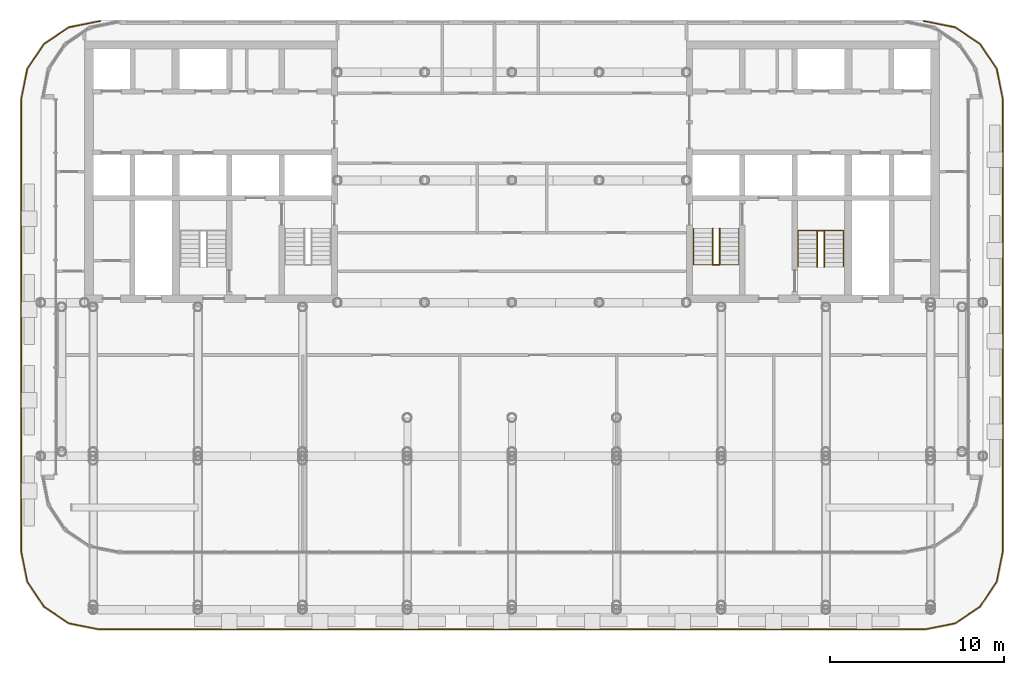
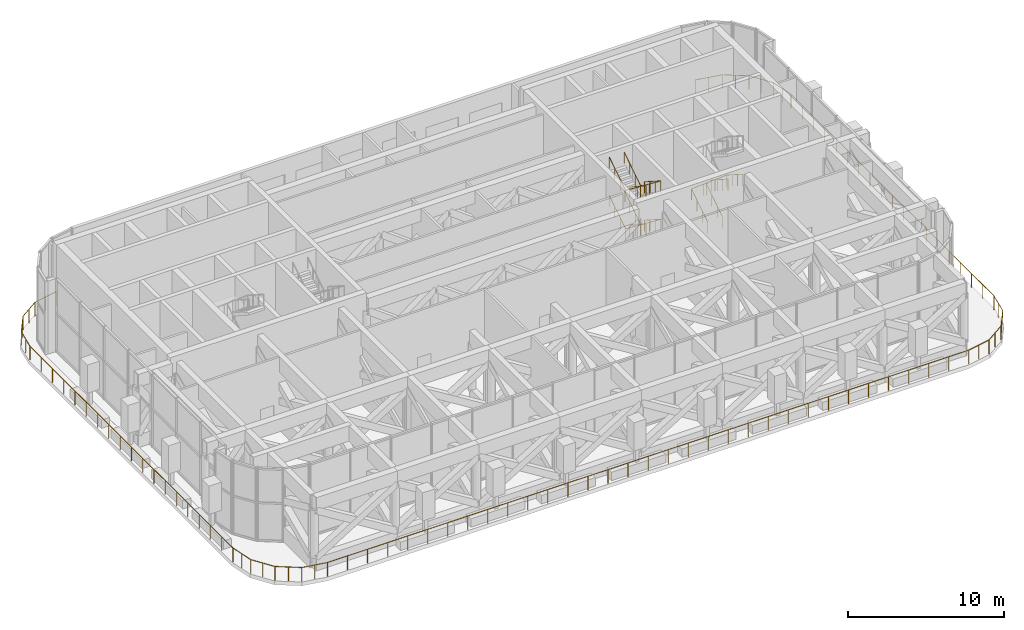
# One storey, part 18 of 20: 7 railings.
"""IFC4 building model written with IfcOpenShell, lengths in metres."""

from ifc_helpers import new_model, si_unit, direction, frame, origin, origin_2d, place, context, subcontext, project, spatial, circle, extrude, material, type_object, element, save


model = new_model("IFC4")

# Units and contexts
model_context = context("Model", 3, precision=1e-05, world=origin(), true_north=direction((0.0, 1.0)))
body_context = subcontext(model_context, "Body", "Model", "MODEL_VIEW")
ifc_project = project(units=[si_unit("LENGTHUNIT", "METRE"), si_unit("AREAUNIT", "SQUARE_METRE"), si_unit("VOLUMEUNIT", "CUBIC_METRE"), si_unit("PLANEANGLEUNIT", "RADIAN"), si_unit("MASSUNIT", "GRAM", prefix="KILO")], contexts=[model_context])

# Site, building, storey
site_placement = place(None, origin())
site = spatial("IfcSite", under=ifc_project, at=site_placement, CompositionType="ELEMENT")
building_placement = place(site_placement, origin())
building = spatial("IfcBuilding", under=site, at=building_placement, Name="Torana Hotel and Residences", CompositionType="ELEMENT")
storey_placement = place(building_placement, frame((0.0, 0.0, 177.60009765625)))
storey = spatial("IfcBuildingStorey", under=building, at=storey_placement, Name="L46", CompositionType="ELEMENT", Elevation=177.60009765625)

# Railings
ifc_material_1 = material(Name="Laminated glass balustrade with black handrail", Category="glass")
railing_type_1 = type_object("IfcRailingType", Name="GR1 BALCONY GUARD 1100 GLASS", PredefinedType="GUARDRAIL", material=ifc_material_1)
railing_1_placement = place(storey_placement, frame((23.60595703125, 1.13720703125, 0.0)))
element("IfcRailing", 1, at=railing_1_placement, inside=storey, type_object=railing_type_1, Name="Terrace guard L46 1", PredefinedType="GUARDRAIL", context=body_context, shape_type="SweptSolid", body=[
    extrude(circle(Radius=0.02392578125, at=origin_2d()), frame((0.0, 0.0, 1.076171875), z_axis=(0.980765981153, -0.195187320829, 0.0), x_axis=(0.195187320829, 0.980765981153, 0.0)), (0.0, 0.0, 1.0), 1.81982421875),
    extrude(circle(Radius=0.02392578125, at=origin_2d()), frame((1.784912109375, -0.355224609375, 1.076171875), z_axis=(0.831461551283, -0.555582296999, 0.0), x_axis=(0.555582296999, 0.831461551283, 0.0)), (0.0, 0.0, 1.0), 1.723876953125),
    extrude(circle(Radius=0.02392578125, at=origin_2d()), frame((3.21826171875, -1.31298828125, 1.076171875), z_axis=(0.555582296999, -0.831461551283, 0.0), x_axis=(0.831461551283, 0.555582296999, 0.0)), (0.0, 0.0, 1.0), 1.723876953125),
    extrude(circle(Radius=0.02392578125, at=origin_2d()), frame((4.176025390625, -2.746337890625, 1.076171875), z_axis=(0.195221536638, -0.980759171067, 0.0), x_axis=(0.980759171067, 0.195221536638, 0.0)), (0.0, 0.0, 1.0), 1.732177734375),
    extrude(circle(Radius=0.02392578125, at=origin_2d()), frame((4.51416015625, -4.445068359375, 1.076171875), z_axis=(0.0, -1.0, 0.0), x_axis=(1.0, 0.0, 0.0)), (0.0, 0.0, 1.0), 25.984130859375),
    extrude(circle(Radius=0.02392578125, at=origin_2d()), frame((4.51416015625, -30.42919921875, 1.076171875), z_axis=(-0.195194552459, -0.980764541921, 0.0), x_axis=(0.980764541921, -0.195194552459, 0.0)), (0.0, 0.0, 1.0), 1.732177734375),
    extrude(circle(Radius=0.02392578125, at=origin_2d()), frame((4.176025390625, -32.128173828125, 1.076171875), z_axis=(-0.555582296999, -0.831461551283, 0.0), x_axis=(0.831461551283, -0.555582296999, 0.0)), (0.0, 0.0, 1.0), 1.723876953125),
    extrude(circle(Radius=0.02392578125, at=origin_2d()), frame((3.21826171875, -33.5615234375, 1.076171875), z_axis=(-0.831461551283, -0.555582296999, 0.0), x_axis=(0.555582296999, -0.831461551283, 0.0)), (0.0, 0.0, 1.0), 1.723876953125),
    extrude(circle(Radius=0.02392578125, at=origin_2d()), frame((1.784912109375, -34.519287109375, 1.076171875), z_axis=(-0.980786150273, -0.195085948833, 0.0), x_axis=(0.195085948833, -0.980786150273, 0.0)), (0.0, 0.0, 1.0), 1.73193359375),
    extrude(circle(Radius=0.02392578125, at=origin_2d()), frame((0.086181640625, -34.857177734375, 1.076171875), z_axis=(-1.0, 0.0, 0.0), x_axis=(0.0, -1.0, 0.0)), (0.0, 0.0, 1.0), 47.38427734375),
    extrude(circle(Radius=0.02392578125, at=origin_2d()), frame((-47.298095703125, -34.857177734375, 1.076171875), z_axis=(-0.980786150273, 0.195085948833, 0.0), x_axis=(-0.195085948833, -0.980786150273, 0.0)), (0.0, 0.0, 1.0), 1.73193359375),
    extrude(circle(Radius=0.02392578125, at=origin_2d()), frame((-48.996826171875, -34.519287109375, 1.076171875), z_axis=(-0.831461551283, 0.555582296999, 0.0), x_axis=(-0.555582296999, -0.831461551283, 0.0)), (0.0, 0.0, 1.0), 1.723876953125),
    extrude(circle(Radius=0.02392578125, at=origin_2d()), frame((-50.43017578125, -33.5615234375, 1.076171875), z_axis=(-0.555582296999, 0.831461551283, 0.0), x_axis=(-0.831461551283, -0.555582296999, 0.0)), (0.0, 0.0, 1.0), 1.723876953125),
    extrude(circle(Radius=0.02392578125, at=origin_2d()), frame((-51.387939453125, -32.128173828125, 1.076171875), z_axis=(-0.195194552459, 0.980764541921, 0.0), x_axis=(-0.980764541921, -0.195194552459, 0.0)), (0.0, 0.0, 1.0), 1.732177734375),
    extrude(circle(Radius=0.02392578125, at=origin_2d()), frame((-51.72607421875, -30.42919921875, 1.076171875), z_axis=(0.0, 1.0, 0.0), x_axis=(-1.0, 0.0, 0.0)), (0.0, 0.0, 1.0), 25.984130859375),
    extrude(circle(Radius=0.02392578125, at=origin_2d()), frame((-51.72607421875, -4.445068359375, 1.076171875), z_axis=(0.195221536638, 0.980759171067, 0.0), x_axis=(-0.980759171067, 0.195221536638, 0.0)), (0.0, 0.0, 1.0), 1.732177734375),
    extrude(circle(Radius=0.02392578125, at=origin_2d()), frame((-51.387939453125, -2.746337890625, 1.076171875), z_axis=(0.555582296999, 0.831461551283, 0.0), x_axis=(-0.831461551283, 0.555582296999, 0.0)), (0.0, 0.0, 1.0), 1.723876953125),
    extrude(circle(Radius=0.02392578125, at=origin_2d()), frame((-50.43017578125, -1.31298828125, 1.076171875), z_axis=(0.831461551283, 0.555582296999, 0.0), x_axis=(-0.555582296999, 0.831461551283, 0.0)), (0.0, 0.0, 1.0), 1.723876953125),
    extrude(circle(Radius=0.02392578125, at=origin_2d()), frame((-48.996826171875, -0.355224609375, 1.076171875), z_axis=(0.980765981153, 0.195187320829, 0.0), x_axis=(-0.195187320829, 0.980765981153, 0.0)), (0.0, 0.0, 1.0), 1.81982421875),
    extrude(circle(Radius=0.02099609375, at=origin_2d()), origin(), (0.0, 0.0, 1.0), 1.052001953125),
    extrude(circle(Radius=0.02099609375, at=origin_2d()), frame((0.892578125, -0.177734375, 0.0)), (0.0, 0.0, 1.0), 1.052001953125),
    extrude(circle(Radius=0.02099609375, at=origin_2d()), frame((1.784912109375, -0.355224609375, 0.0)), (0.0, 0.0, 1.0), 1.052001953125),
    extrude(circle(Radius=0.02099609375, at=origin_2d()), frame((2.50146484375, -0.833984375, 0.0)), (0.0, 0.0, 1.0), 1.052001953125),
    extrude(circle(Radius=0.02099609375, at=origin_2d()), frame((3.21826171875, -1.31298828125, 0.0)), (0.0, 0.0, 1.0), 1.052001953125),
    extrude(circle(Radius=0.02099609375, at=origin_2d()), frame((3.697265625, -2.02978515625, 0.0)), (0.0, 0.0, 1.0), 1.052001953125),
    extrude(circle(Radius=0.02099609375, at=origin_2d()), frame((4.176025390625, -2.746337890625, 0.0)), (0.0, 0.0, 1.0), 1.052001953125),
    extrude(circle(Radius=0.02099609375, at=origin_2d()), frame((4.34521484375, -3.595703125, 0.0)), (0.0, 0.0, 1.0), 1.052001953125),
    extrude(circle(Radius=0.02099609375, at=origin_2d()), frame((4.51416015625, -4.445068359375, 0.0)), (0.0, 0.0, 1.0), 1.052001953125),
    extrude(circle(Radius=0.02099609375, at=origin_2d()), frame((4.51416015625, -5.888671875, 0.0)), (0.0, 0.0, 1.0), 1.052001953125),
    extrude(circle(Radius=0.02099609375, at=origin_2d()), frame((4.51416015625, -7.332275390625, 0.0)), (0.0, 0.0, 1.0), 1.052001953125),
    extrude(circle(Radius=0.02099609375, at=origin_2d()), frame((4.51416015625, -8.77587890625, 0.0)), (0.0, 0.0, 1.0), 1.052001953125),
    extrude(circle(Radius=0.02099609375, at=origin_2d()), frame((4.51416015625, -10.21923828125, 0.0)), (0.0, 0.0, 1.0), 1.052001953125),
    extrude(circle(Radius=0.02099609375, at=origin_2d()), frame((4.51416015625, -11.662841796875, 0.0)), (0.0, 0.0, 1.0), 1.052001953125),
    extrude(circle(Radius=0.02099609375, at=origin_2d()), frame((4.51416015625, -13.1064453125, 0.0)), (0.0, 0.0, 1.0), 1.052001953125),
    extrude(circle(Radius=0.02099609375, at=origin_2d()), frame((4.51416015625, -14.550048828125, 0.0)), (0.0, 0.0, 1.0), 1.052001953125),
    extrude(circle(Radius=0.02099609375, at=origin_2d()), frame((4.51416015625, -15.99365234375, 0.0)), (0.0, 0.0, 1.0), 1.052001953125),
    extrude(circle(Radius=0.02099609375, at=origin_2d()), frame((4.51416015625, -17.43701171875, 0.0)), (0.0, 0.0, 1.0), 1.052001953125),
    extrude(circle(Radius=0.02099609375, at=origin_2d()), frame((4.51416015625, -18.880615234375, 0.0)), (0.0, 0.0, 1.0), 1.052001953125),
    extrude(circle(Radius=0.02099609375, at=origin_2d()), frame((4.51416015625, -20.32421875, 0.0)), (0.0, 0.0, 1.0), 1.052001953125),
    extrude(circle(Radius=0.02099609375, at=origin_2d()), frame((4.51416015625, -21.767822265625, 0.0)), (0.0, 0.0, 1.0), 1.052001953125),
    extrude(circle(Radius=0.02099609375, at=origin_2d()), frame((4.51416015625, -23.21142578125, 0.0)), (0.0, 0.0, 1.0), 1.052001953125),
    extrude(circle(Radius=0.02099609375, at=origin_2d()), frame((4.51416015625, -24.655029296875, 0.0)), (0.0, 0.0, 1.0), 1.052001953125),
    extrude(circle(Radius=0.02099609375, at=origin_2d()), frame((4.51416015625, -26.0986328125, 0.0)), (0.0, 0.0, 1.0), 1.052001953125),
    extrude(circle(Radius=0.02099609375, at=origin_2d()), frame((4.51416015625, -27.5419921875, 0.0)), (0.0, 0.0, 1.0), 1.052001953125),
    extrude(circle(Radius=0.02099609375, at=origin_2d()), frame((4.51416015625, -28.985595703125, 0.0)), (0.0, 0.0, 1.0), 1.052001953125),
    extrude(circle(Radius=0.02099609375, at=origin_2d()), frame((4.51416015625, -30.42919921875, 0.0)), (0.0, 0.0, 1.0), 1.052001953125),
    extrude(circle(Radius=0.02099609375, at=origin_2d()), frame((4.34521484375, -31.27880859375, 0.0)), (0.0, 0.0, 1.0), 1.052001953125),
    extrude(circle(Radius=0.02099609375, at=origin_2d()), frame((4.176025390625, -32.128173828125, 0.0)), (0.0, 0.0, 1.0), 1.052001953125),
    extrude(circle(Radius=0.02099609375, at=origin_2d()), frame((3.697265625, -32.8447265625, 0.0)), (0.0, 0.0, 1.0), 1.052001953125),
    extrude(circle(Radius=0.02099609375, at=origin_2d()), frame((3.21826171875, -33.5615234375, 0.0)), (0.0, 0.0, 1.0), 1.052001953125),
    extrude(circle(Radius=0.02099609375, at=origin_2d()), frame((2.50146484375, -34.04052734375, 0.0)), (0.0, 0.0, 1.0), 1.052001953125),
    extrude(circle(Radius=0.02099609375, at=origin_2d()), frame((1.784912109375, -34.519287109375, 0.0)), (0.0, 0.0, 1.0), 1.052001953125),
    extrude(circle(Radius=0.02099609375, at=origin_2d()), frame((0.935546875, -34.688232421875, 0.0)), (0.0, 0.0, 1.0), 1.052001953125),
    extrude(circle(Radius=0.02099609375, at=origin_2d()), frame((0.086181640625, -34.857177734375, 0.0)), (0.0, 0.0, 1.0), 1.052001953125),
    extrude(circle(Radius=0.02099609375, at=origin_2d()), frame((-1.39453125, -34.857177734375, 0.0)), (0.0, 0.0, 1.0), 1.052001953125),
    extrude(circle(Radius=0.02099609375, at=origin_2d()), frame((-2.875244140625, -34.857177734375, 0.0)), (0.0, 0.0, 1.0), 1.052001953125),
    extrude(circle(Radius=0.02099609375, at=origin_2d()), frame((-4.356201171875, -34.857177734375, 0.0)), (0.0, 0.0, 1.0), 1.052001953125),
    extrude(circle(Radius=0.02099609375, at=origin_2d()), frame((-5.8369140625, -34.857177734375, 0.0)), (0.0, 0.0, 1.0), 1.052001953125),
    extrude(circle(Radius=0.02099609375, at=origin_2d()), frame((-7.317626953125, -34.857177734375, 0.0)), (0.0, 0.0, 1.0), 1.052001953125),
    extrude(circle(Radius=0.02099609375, at=origin_2d()), frame((-8.79833984375, -34.857177734375, 0.0)), (0.0, 0.0, 1.0), 1.052001953125),
    extrude(circle(Radius=0.02099609375, at=origin_2d()), frame((-10.279052734375, -34.857177734375, 0.0)), (0.0, 0.0, 1.0), 1.052001953125),
    extrude(circle(Radius=0.02099609375, at=origin_2d()), frame((-11.759765625, -34.857177734375, 0.0)), (0.0, 0.0, 1.0), 1.052001953125),
    extrude(circle(Radius=0.02099609375, at=origin_2d()), frame((-13.24072265625, -34.857177734375, 0.0)), (0.0, 0.0, 1.0), 1.052001953125),
    extrude(circle(Radius=0.02099609375, at=origin_2d()), frame((-14.721435546875, -34.857177734375, 0.0)), (0.0, 0.0, 1.0), 1.052001953125),
    extrude(circle(Radius=0.02099609375, at=origin_2d()), frame((-16.2021484375, -34.857177734375, 0.0)), (0.0, 0.0, 1.0), 1.052001953125),
    extrude(circle(Radius=0.02099609375, at=origin_2d()), frame((-17.682861328125, -34.857177734375, 0.0)), (0.0, 0.0, 1.0), 1.052001953125),
    extrude(circle(Radius=0.02099609375, at=origin_2d()), frame((-19.16357421875, -34.857177734375, 0.0)), (0.0, 0.0, 1.0), 1.052001953125),
    extrude(circle(Radius=0.02099609375, at=origin_2d()), frame((-20.64453125, -34.857177734375, 0.0)), (0.0, 0.0, 1.0), 1.052001953125),
    extrude(circle(Radius=0.02099609375, at=origin_2d()), frame((-22.125244140625, -34.857177734375, 0.0)), (0.0, 0.0, 1.0), 1.052001953125),
    extrude(circle(Radius=0.02099609375, at=origin_2d()), frame((-23.60595703125, -34.857177734375, 0.0)), (0.0, 0.0, 1.0), 1.052001953125),
    extrude(circle(Radius=0.02099609375, at=origin_2d()), frame((-25.086669921875, -34.857177734375, 0.0)), (0.0, 0.0, 1.0), 1.052001953125),
    extrude(circle(Radius=0.02099609375, at=origin_2d()), frame((-26.5673828125, -34.857177734375, 0.0)), (0.0, 0.0, 1.0), 1.052001953125),
    extrude(circle(Radius=0.02099609375, at=origin_2d()), frame((-28.04833984375, -34.857177734375, 0.0)), (0.0, 0.0, 1.0), 1.052001953125),
    extrude(circle(Radius=0.02099609375, at=origin_2d()), frame((-29.529052734375, -34.857177734375, 0.0)), (0.0, 0.0, 1.0), 1.052001953125),
    extrude(circle(Radius=0.02099609375, at=origin_2d()), frame((-31.009765625, -34.857177734375, 0.0)), (0.0, 0.0, 1.0), 1.052001953125),
    extrude(circle(Radius=0.02099609375, at=origin_2d()), frame((-32.490478515625, -34.857177734375, 0.0)), (0.0, 0.0, 1.0), 1.052001953125),
    extrude(circle(Radius=0.02099609375, at=origin_2d()), frame((-33.97119140625, -34.857177734375, 0.0)), (0.0, 0.0, 1.0), 1.052001953125),
    extrude(circle(Radius=0.02099609375, at=origin_2d()), frame((-35.4521484375, -34.857177734375, 0.0)), (0.0, 0.0, 1.0), 1.052001953125),
    extrude(circle(Radius=0.02099609375, at=origin_2d()), frame((-36.932861328125, -34.857177734375, 0.0)), (0.0, 0.0, 1.0), 1.052001953125),
    extrude(circle(Radius=0.02099609375, at=origin_2d()), frame((-38.41357421875, -34.857177734375, 0.0)), (0.0, 0.0, 1.0), 1.052001953125),
    extrude(circle(Radius=0.02099609375, at=origin_2d()), frame((-39.894287109375, -34.857177734375, 0.0)), (0.0, 0.0, 1.0), 1.052001953125),
    extrude(circle(Radius=0.02099609375, at=origin_2d()), frame((-41.375, -34.857177734375, 0.0)), (0.0, 0.0, 1.0), 1.052001953125),
    extrude(circle(Radius=0.02099609375, at=origin_2d()), frame((-42.855712890625, -34.857177734375, 0.0)), (0.0, 0.0, 1.0), 1.052001953125),
    extrude(circle(Radius=0.02099609375, at=origin_2d()), frame((-44.336669921875, -34.857177734375, 0.0)), (0.0, 0.0, 1.0), 1.052001953125),
    extrude(circle(Radius=0.02099609375, at=origin_2d()), frame((-45.8173828125, -34.857177734375, 0.0)), (0.0, 0.0, 1.0), 1.052001953125),
    extrude(circle(Radius=0.02099609375, at=origin_2d()), frame((-47.298095703125, -34.857177734375, 0.0)), (0.0, 0.0, 1.0), 1.052001953125),
    extrude(circle(Radius=0.02099609375, at=origin_2d()), frame((-48.1474609375, -34.688232421875, 0.0)), (0.0, 0.0, 1.0), 1.052001953125),
    extrude(circle(Radius=0.02099609375, at=origin_2d()), frame((-48.996826171875, -34.519287109375, 0.0)), (0.0, 0.0, 1.0), 1.052001953125),
    extrude(circle(Radius=0.02099609375, at=origin_2d()), frame((-49.71337890625, -34.04052734375, 0.0)), (0.0, 0.0, 1.0), 1.052001953125),
    extrude(circle(Radius=0.02099609375, at=origin_2d()), frame((-50.43017578125, -33.5615234375, 0.0)), (0.0, 0.0, 1.0), 1.052001953125),
    extrude(circle(Radius=0.02099609375, at=origin_2d()), frame((-50.9091796875, -32.8447265625, 0.0)), (0.0, 0.0, 1.0), 1.052001953125),
    extrude(circle(Radius=0.02099609375, at=origin_2d()), frame((-51.387939453125, -32.128173828125, 0.0)), (0.0, 0.0, 1.0), 1.052001953125),
    extrude(circle(Radius=0.02099609375, at=origin_2d()), frame((-51.55712890625, -31.27880859375, 0.0)), (0.0, 0.0, 1.0), 1.052001953125),
    extrude(circle(Radius=0.02099609375, at=origin_2d()), frame((-51.72607421875, -30.42919921875, 0.0)), (0.0, 0.0, 1.0), 1.052001953125),
    extrude(circle(Radius=0.02099609375, at=origin_2d()), frame((-51.72607421875, -28.985595703125, 0.0)), (0.0, 0.0, 1.0), 1.052001953125),
    extrude(circle(Radius=0.02099609375, at=origin_2d()), frame((-51.72607421875, -27.5419921875, 0.0)), (0.0, 0.0, 1.0), 1.052001953125),
    extrude(circle(Radius=0.02099609375, at=origin_2d()), frame((-51.72607421875, -26.0986328125, 0.0)), (0.0, 0.0, 1.0), 1.052001953125),
    extrude(circle(Radius=0.02099609375, at=origin_2d()), frame((-51.72607421875, -24.655029296875, 0.0)), (0.0, 0.0, 1.0), 1.052001953125),
    extrude(circle(Radius=0.02099609375, at=origin_2d()), frame((-51.72607421875, -23.21142578125, 0.0)), (0.0, 0.0, 1.0), 1.052001953125),
    extrude(circle(Radius=0.02099609375, at=origin_2d()), frame((-51.72607421875, -21.767822265625, 0.0)), (0.0, 0.0, 1.0), 1.052001953125),
    extrude(circle(Radius=0.02099609375, at=origin_2d()), frame((-51.72607421875, -20.32421875, 0.0)), (0.0, 0.0, 1.0), 1.052001953125),
    extrude(circle(Radius=0.02099609375, at=origin_2d()), frame((-51.72607421875, -18.880615234375, 0.0)), (0.0, 0.0, 1.0), 1.052001953125),
    extrude(circle(Radius=0.02099609375, at=origin_2d()), frame((-51.72607421875, -17.43701171875, 0.0)), (0.0, 0.0, 1.0), 1.052001953125),
    extrude(circle(Radius=0.02099609375, at=origin_2d()), frame((-51.72607421875, -15.99365234375, 0.0)), (0.0, 0.0, 1.0), 1.052001953125),
    extrude(circle(Radius=0.02099609375, at=origin_2d()), frame((-51.72607421875, -14.550048828125, 0.0)), (0.0, 0.0, 1.0), 1.052001953125),
    extrude(circle(Radius=0.02099609375, at=origin_2d()), frame((-51.72607421875, -13.1064453125, 0.0)), (0.0, 0.0, 1.0), 1.052001953125),
    extrude(circle(Radius=0.02099609375, at=origin_2d()), frame((-51.72607421875, -11.662841796875, 0.0)), (0.0, 0.0, 1.0), 1.052001953125),
    extrude(circle(Radius=0.02099609375, at=origin_2d()), frame((-51.72607421875, -10.21923828125, 0.0)), (0.0, 0.0, 1.0), 1.052001953125),
    extrude(circle(Radius=0.02099609375, at=origin_2d()), frame((-51.72607421875, -8.77587890625, 0.0)), (0.0, 0.0, 1.0), 1.052001953125),
    extrude(circle(Radius=0.02099609375, at=origin_2d()), frame((-51.72607421875, -7.332275390625, 0.0)), (0.0, 0.0, 1.0), 1.052001953125),
    extrude(circle(Radius=0.02099609375, at=origin_2d()), frame((-51.72607421875, -5.888671875, 0.0)), (0.0, 0.0, 1.0), 1.052001953125),
    extrude(circle(Radius=0.02099609375, at=origin_2d()), frame((-51.72607421875, -4.445068359375, 0.0)), (0.0, 0.0, 1.0), 1.052001953125),
    extrude(circle(Radius=0.02099609375, at=origin_2d()), frame((-51.55712890625, -3.595703125, 0.0)), (0.0, 0.0, 1.0), 1.052001953125),
    extrude(circle(Radius=0.02099609375, at=origin_2d()), frame((-51.387939453125, -2.746337890625, 0.0)), (0.0, 0.0, 1.0), 1.052001953125),
    extrude(circle(Radius=0.02099609375, at=origin_2d()), frame((-50.9091796875, -2.02978515625, 0.0)), (0.0, 0.0, 1.0), 1.052001953125),
    extrude(circle(Radius=0.02099609375, at=origin_2d()), frame((-50.43017578125, -1.31298828125, 0.0)), (0.0, 0.0, 1.0), 1.052001953125),
    extrude(circle(Radius=0.02099609375, at=origin_2d()), frame((-49.71337890625, -0.833984375, 0.0)), (0.0, 0.0, 1.0), 1.052001953125),
    extrude(circle(Radius=0.02099609375, at=origin_2d()), frame((-48.996826171875, -0.355224609375, 0.0)), (0.0, 0.0, 1.0), 1.052001953125),
    extrude(circle(Radius=0.02099609375, at=origin_2d()), frame((-48.1044921875, -0.177734375, 0.0)), (0.0, 0.0, 1.0), 1.052001953125),
    extrude(circle(Radius=0.02099609375, at=origin_2d()), frame((-47.2119140625, 0.0, 0.0)), (0.0, 0.0, 1.0), 1.052001953125),
])
ifc_material_2 = material(Name="Stainless steel 316", Category="steel")
railing_type_2 = type_object("IfcRailingType", Name="STAIR HANDRAIL HR1 900", PredefinedType="HANDRAIL", material=ifc_material_2)
railing_2_placement = place(storey_placement, frame((13.0, -10.75, 0.16650390625)))
element("IfcRailing", 2, at=railing_2_placement, inside=storey, type_object=railing_type_2, Name="Handrail ST3 L46 O1", PredefinedType="HANDRAIL", context=body_context, shape_type="SweptSolid", body=[
    extrude(circle(Radius=0.02392578125, at=origin_2d()), frame((0.0, 0.0, 0.8759765625), z_axis=(0.0, -0.841858418701, 0.539698436965), x_axis=(1.0, 0.0, 0.0)), (0.0, 0.0, 1.0), 2.470703125),
    extrude(circle(Radius=0.02392578125, at=origin_2d()), frame((0.0, -2.080078125, 2.20947265625), z_axis=(-0.997955880303, 0.0, 0.06390665825), x_axis=(0.0, -1.0, 0.0)), (0.0, 0.0, 1.0), 2.60546875),
    extrude(circle(Radius=0.02392578125, at=origin_2d()), frame((-2.60009765625, -2.080078125, 2.3759765625), z_axis=(0.0, 0.841858418701, 0.539698436965), x_axis=(-1.0, 0.0, 0.0)), (0.0, 0.0, 1.0), 2.470703125),
    extrude(circle(Radius=0.02099609375, at=origin_2d()), origin(), (0.0, 0.0, 1.0), 0.851806640625),
    extrude(circle(Radius=0.02099609375, at=origin_2d()), frame((0.0, -0.693359375, 0.444580078125)), (0.0, 0.0, 1.0), 0.851806640625),
    extrude(circle(Radius=0.02099609375, at=origin_2d()), frame((0.0, -1.38671875, 0.888916015625)), (0.0, 0.0, 1.0), 0.851806640625),
    extrude(circle(Radius=0.02099609375, at=origin_2d()), frame((0.0, -2.080078125, 1.33349609375)), (0.0, 0.0, 1.0), 0.851806640625),
    extrude(circle(Radius=0.02099609375, at=origin_2d()), frame((-0.86669921875, -2.080078125, 1.388916015625)), (0.0, 0.0, 1.0), 0.851806640625),
    extrude(circle(Radius=0.02099609375, at=origin_2d()), frame((-1.7333984375, -2.080078125, 1.444580078125)), (0.0, 0.0, 1.0), 0.851806640625),
    extrude(circle(Radius=0.02099609375, at=origin_2d()), frame((-2.60009765625, -2.080078125, 1.5)), (0.0, 0.0, 1.0), 0.851806640625),
    extrude(circle(Radius=0.02099609375, at=origin_2d()), frame((-2.60009765625, -1.38671875, 1.944580078125)), (0.0, 0.0, 1.0), 0.851806640625),
    extrude(circle(Radius=0.02099609375, at=origin_2d()), frame((-2.60009765625, -0.693359375, 2.388916015625)), (0.0, 0.0, 1.0), 0.851806640625),
    extrude(circle(Radius=0.02099609375, at=origin_2d()), frame((-2.60009765625, 0.0, 2.83349609375)), (0.0, 0.0, 1.0), 0.851806640625),
])
railing_3_placement = place(storey_placement, frame((11.89990234375, -10.75, 0.16650390625)))
element("IfcRailing", 3, at=railing_3_placement, inside=storey, type_object=railing_type_2, Name="Handrail ST3 L46 I1", PredefinedType="HANDRAIL", context=body_context, shape_type="SweptSolid", body=[
    extrude(circle(Radius=0.02392578125, at=origin_2d()), frame((0.0, 0.0, 0.8759765625), z_axis=(0.0, -0.841858418701, 0.539698436965), x_axis=(1.0, 0.0, 0.0)), (0.0, 0.0, 1.0), 2.470703125),
    extrude(circle(Radius=0.02392578125, at=origin_2d()), frame((0.0, -2.080078125, 2.20947265625), z_axis=(-0.9231769392, 0.0, 0.384375257957), x_axis=(0.0, -1.0, 0.0)), (0.0, 0.0, 1.0), 0.43310546875),
    extrude(circle(Radius=0.02392578125, at=origin_2d()), frame((-0.39990234375, -2.080078125, 2.3759765625), z_axis=(0.0, 0.841858418701, 0.539698436965), x_axis=(-1.0, 0.0, 0.0)), (0.0, 0.0, 1.0), 2.470703125),
    extrude(circle(Radius=0.02099609375, at=origin_2d()), origin(), (0.0, 0.0, 1.0), 0.851806640625),
    extrude(circle(Radius=0.02099609375, at=origin_2d()), frame((0.0, -0.693359375, 0.444580078125)), (0.0, 0.0, 1.0), 0.851806640625),
    extrude(circle(Radius=0.02099609375, at=origin_2d()), frame((0.0, -1.38671875, 0.888916015625)), (0.0, 0.0, 1.0), 0.851806640625),
    extrude(circle(Radius=0.02099609375, at=origin_2d()), frame((0.0, -2.080078125, 1.33349609375)), (0.0, 0.0, 1.0), 0.851806640625),
    extrude(circle(Radius=0.02099609375, at=origin_2d()), frame((-0.39990234375, -2.080078125, 1.5)), (0.0, 0.0, 1.0), 0.851806640625),
    extrude(circle(Radius=0.02099609375, at=origin_2d()), frame((-0.39990234375, -1.38671875, 1.944580078125)), (0.0, 0.0, 1.0), 0.851806640625),
    extrude(circle(Radius=0.02099609375, at=origin_2d()), frame((-0.39990234375, -0.693359375, 2.388916015625)), (0.0, 0.0, 1.0), 0.851806640625),
    extrude(circle(Radius=0.02099609375, at=origin_2d()), frame((-0.39990234375, 0.0, 2.83349609375)), (0.0, 0.0, 1.0), 0.851806640625),
])
railing_4_placement = place(storey_placement, frame((13.0, -10.75, 3.16650390625)))
element("IfcRailing", 4, at=railing_4_placement, inside=storey, type_object=railing_type_2, Name="Handrail ST3 L46 O2", PredefinedType="HANDRAIL", context=body_context, shape_type="SweptSolid", body=[
    extrude(circle(Radius=0.02392578125, at=origin_2d()), frame((0.0, 0.0, 0.8759765625), z_axis=(0.0, -0.841858418701, 0.539698436965), x_axis=(1.0, 0.0, 0.0)), (0.0, 0.0, 1.0), 2.470703125),
    extrude(circle(Radius=0.02392578125, at=origin_2d()), frame((0.0, -2.080078125, 2.20947265625), z_axis=(-0.997955880303, 0.0, 0.06390665825), x_axis=(0.0, -1.0, 0.0)), (0.0, 0.0, 1.0), 2.60546875),
    extrude(circle(Radius=0.02392578125, at=origin_2d()), frame((-2.60009765625, -2.080078125, 2.3759765625), z_axis=(0.0, 0.841858418701, 0.539698436965), x_axis=(-1.0, 0.0, 0.0)), (0.0, 0.0, 1.0), 2.470703125),
    extrude(circle(Radius=0.02099609375, at=origin_2d()), origin(), (0.0, 0.0, 1.0), 0.851806640625),
    extrude(circle(Radius=0.02099609375, at=origin_2d()), frame((0.0, -0.693359375, 0.444580078125)), (0.0, 0.0, 1.0), 0.851806640625),
    extrude(circle(Radius=0.02099609375, at=origin_2d()), frame((0.0, -1.38671875, 0.888916015625)), (0.0, 0.0, 1.0), 0.851806640625),
    extrude(circle(Radius=0.02099609375, at=origin_2d()), frame((0.0, -2.080078125, 1.33349609375)), (0.0, 0.0, 1.0), 0.851806640625),
    extrude(circle(Radius=0.02099609375, at=origin_2d()), frame((-0.86669921875, -2.080078125, 1.388916015625)), (0.0, 0.0, 1.0), 0.851806640625),
    extrude(circle(Radius=0.02099609375, at=origin_2d()), frame((-1.7333984375, -2.080078125, 1.444580078125)), (0.0, 0.0, 1.0), 0.851806640625),
    extrude(circle(Radius=0.02099609375, at=origin_2d()), frame((-2.60009765625, -2.080078125, 1.5)), (0.0, 0.0, 1.0), 0.851806640625),
    extrude(circle(Radius=0.02099609375, at=origin_2d()), frame((-2.60009765625, -1.38671875, 1.944580078125)), (0.0, 0.0, 1.0), 0.851806640625),
    extrude(circle(Radius=0.02099609375, at=origin_2d()), frame((-2.60009765625, -0.693359375, 2.388916015625)), (0.0, 0.0, 1.0), 0.851806640625),
    extrude(circle(Radius=0.02099609375, at=origin_2d()), frame((-2.60009765625, 0.0, 2.83349609375)), (0.0, 0.0, 1.0), 0.851806640625),
])
railing_5_placement = place(storey_placement, frame((11.89990234375, -10.75, 3.16650390625)))
element("IfcRailing", 5, at=railing_5_placement, inside=storey, type_object=railing_type_2, Name="Handrail ST3 L46 I2", PredefinedType="HANDRAIL", context=body_context, shape_type="SweptSolid", body=[
    extrude(circle(Radius=0.02392578125, at=origin_2d()), frame((0.0, 0.0, 0.8759765625), z_axis=(0.0, -0.841858418701, 0.539698436965), x_axis=(1.0, 0.0, 0.0)), (0.0, 0.0, 1.0), 2.470703125),
    extrude(circle(Radius=0.02392578125, at=origin_2d()), frame((0.0, -2.080078125, 2.20947265625), z_axis=(-0.9231769392, 0.0, 0.384375257957), x_axis=(0.0, -1.0, 0.0)), (0.0, 0.0, 1.0), 0.43310546875),
    extrude(circle(Radius=0.02392578125, at=origin_2d()), frame((-0.39990234375, -2.080078125, 2.3759765625), z_axis=(0.0, 0.841858418701, 0.539698436965), x_axis=(-1.0, 0.0, 0.0)), (0.0, 0.0, 1.0), 2.470703125),
    extrude(circle(Radius=0.02099609375, at=origin_2d()), origin(), (0.0, 0.0, 1.0), 0.851806640625),
    extrude(circle(Radius=0.02099609375, at=origin_2d()), frame((0.0, -0.693359375, 0.444580078125)), (0.0, 0.0, 1.0), 0.851806640625),
    extrude(circle(Radius=0.02099609375, at=origin_2d()), frame((0.0, -1.38671875, 0.888916015625)), (0.0, 0.0, 1.0), 0.851806640625),
    extrude(circle(Radius=0.02099609375, at=origin_2d()), frame((0.0, -2.080078125, 1.33349609375)), (0.0, 0.0, 1.0), 0.851806640625),
    extrude(circle(Radius=0.02099609375, at=origin_2d()), frame((-0.39990234375, -2.080078125, 1.5)), (0.0, 0.0, 1.0), 0.851806640625),
    extrude(circle(Radius=0.02099609375, at=origin_2d()), frame((-0.39990234375, -1.38671875, 1.944580078125)), (0.0, 0.0, 1.0), 0.851806640625),
    extrude(circle(Radius=0.02099609375, at=origin_2d()), frame((-0.39990234375, -0.693359375, 2.388916015625)), (0.0, 0.0, 1.0), 0.851806640625),
    extrude(circle(Radius=0.02099609375, at=origin_2d()), frame((-0.39990234375, 0.0, 2.83349609375)), (0.0, 0.0, 1.0), 0.851806640625),
])
railing_6_placement = place(storey_placement, frame((16.39990234375, -12.949951171875, 0.16650390625)))
element("IfcRailing", 6, at=railing_6_placement, inside=storey, type_object=railing_type_2, Name="Handrail ST4 L46 O1", PredefinedType="HANDRAIL", context=body_context, shape_type="SweptSolid", body=[
    extrude(circle(Radius=0.02392578125, at=origin_2d()), frame((0.0, 0.0, 0.8759765625), z_axis=(0.0, 0.841829634381, 0.539743334075), x_axis=(-1.0, 0.0, 0.0)), (0.0, 0.0, 1.0), 2.470703125),
    extrude(circle(Radius=0.02392578125, at=origin_2d()), frame((0.0, 2.079833984375, 2.20947265625), z_axis=(0.997955880303, 0.0, 0.06390665825), x_axis=(0.0, 1.0, 0.0)), (0.0, 0.0, 1.0), 2.60546875),
    extrude(circle(Radius=0.02392578125, at=origin_2d()), frame((2.60009765625, 2.079833984375, 2.3759765625), z_axis=(0.0, -0.841829634381, 0.539743334075), x_axis=(1.0, 0.0, 0.0)), (0.0, 0.0, 1.0), 2.470703125),
    extrude(circle(Radius=0.02099609375, at=origin_2d()), origin(), (0.0, 0.0, 1.0), 0.851806640625),
    extrude(circle(Radius=0.02099609375, at=origin_2d()), frame((0.0, 0.693359375, 0.444580078125)), (0.0, 0.0, 1.0), 0.851806640625),
    extrude(circle(Radius=0.02099609375, at=origin_2d()), frame((0.0, 1.386474609375, 0.888916015625)), (0.0, 0.0, 1.0), 0.851806640625),
    extrude(circle(Radius=0.02099609375, at=origin_2d()), frame((0.0, 2.079833984375, 1.33349609375)), (0.0, 0.0, 1.0), 0.851806640625),
    extrude(circle(Radius=0.02099609375, at=origin_2d()), frame((0.86669921875, 2.079833984375, 1.388916015625)), (0.0, 0.0, 1.0), 0.851806640625),
    extrude(circle(Radius=0.02099609375, at=origin_2d()), frame((1.7333984375, 2.079833984375, 1.444580078125)), (0.0, 0.0, 1.0), 0.851806640625),
    extrude(circle(Radius=0.02099609375, at=origin_2d()), frame((2.60009765625, 2.079833984375, 1.5)), (0.0, 0.0, 1.0), 0.851806640625),
    extrude(circle(Radius=0.02099609375, at=origin_2d()), frame((2.60009765625, 1.386474609375, 1.944580078125)), (0.0, 0.0, 1.0), 0.851806640625),
    extrude(circle(Radius=0.02099609375, at=origin_2d()), frame((2.60009765625, 0.693359375, 2.388916015625)), (0.0, 0.0, 1.0), 0.851806640625),
    extrude(circle(Radius=0.02099609375, at=origin_2d()), frame((2.60009765625, 0.0, 2.83349609375)), (0.0, 0.0, 1.0), 0.851806640625),
])
railing_7_placement = place(storey_placement, frame((17.5, -12.949951171875, 0.16650390625)))
element("IfcRailing", 7, at=railing_7_placement, inside=storey, type_object=railing_type_2, Name="Handrail ST4 L46 I1", PredefinedType="HANDRAIL", context=body_context, shape_type="SweptSolid", body=[
    extrude(circle(Radius=0.02392578125, at=origin_2d()), frame((0.0, 0.0, 0.8759765625), z_axis=(0.0, 0.841829634381, 0.539743334075), x_axis=(-1.0, 0.0, 0.0)), (0.0, 0.0, 1.0), 2.470703125),
    extrude(circle(Radius=0.02392578125, at=origin_2d()), frame((0.0, 2.079833984375, 2.20947265625), z_axis=(0.9231769392, 0.0, 0.384375257957), x_axis=(0.0, 1.0, 0.0)), (0.0, 0.0, 1.0), 0.43310546875),
    extrude(circle(Radius=0.02392578125, at=origin_2d()), frame((0.39990234375, 2.079833984375, 2.3759765625), z_axis=(0.0, -0.841829634381, 0.539743334075), x_axis=(1.0, 0.0, 0.0)), (0.0, 0.0, 1.0), 2.470703125),
    extrude(circle(Radius=0.02099609375, at=origin_2d()), origin(), (0.0, 0.0, 1.0), 0.851806640625),
    extrude(circle(Radius=0.02099609375, at=origin_2d()), frame((0.0, 0.693359375, 0.444580078125)), (0.0, 0.0, 1.0), 0.851806640625),
    extrude(circle(Radius=0.02099609375, at=origin_2d()), frame((0.0, 1.386474609375, 0.888916015625)), (0.0, 0.0, 1.0), 0.851806640625),
    extrude(circle(Radius=0.02099609375, at=origin_2d()), frame((0.0, 2.079833984375, 1.33349609375)), (0.0, 0.0, 1.0), 0.851806640625),
    extrude(circle(Radius=0.02099609375, at=origin_2d()), frame((0.39990234375, 2.079833984375, 1.5)), (0.0, 0.0, 1.0), 0.851806640625),
    extrude(circle(Radius=0.02099609375, at=origin_2d()), frame((0.39990234375, 1.386474609375, 1.944580078125)), (0.0, 0.0, 1.0), 0.851806640625),
    extrude(circle(Radius=0.02099609375, at=origin_2d()), frame((0.39990234375, 0.693359375, 2.388916015625)), (0.0, 0.0, 1.0), 0.851806640625),
    extrude(circle(Radius=0.02099609375, at=origin_2d()), frame((0.39990234375, 0.0, 2.83349609375)), (0.0, 0.0, 1.0), 0.851806640625),
])

save(model, "model.ifc")
